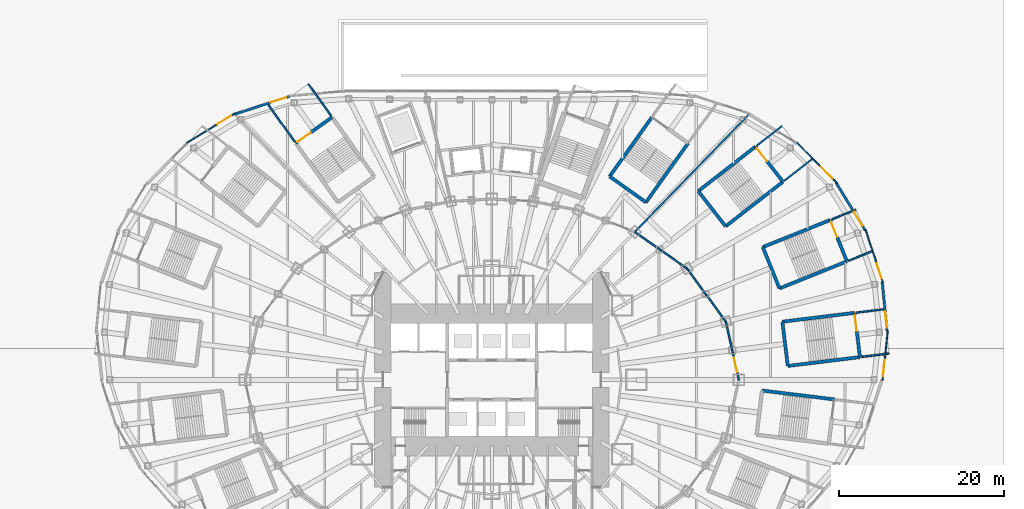
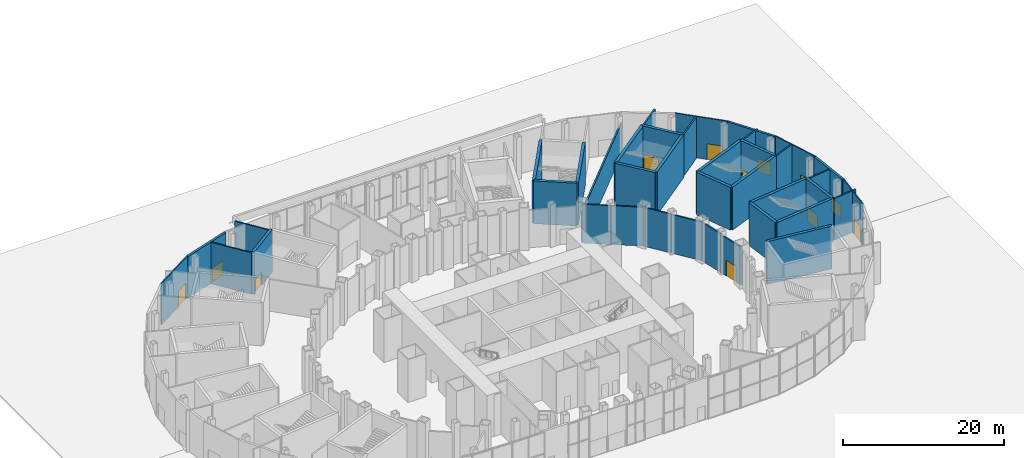
# One storey, part 21 of 47: 39 walls, 12 doors, 12 openings.
"""IFC4 building model written with IfcOpenShell, lengths in metres."""

import ifcopenshell
import ifcopenshell.guid

model = None  # the IFC model being written
_history = None  # IfcOwnerHistory: only IFC2X3 demands one
_inside = {}  # id of a spatial element -> (the spatial element, [elements in it])
_under = {}  # id of a project, library or spatial element -> (it, [spatial elements below it])
_declared = {}  # id of a project -> (the project, [libraries it declares])
_typed = {}  # id of a type object -> (the type object, [elements of that type])
_made_of = {}  # id of a material, layer set ... -> (it, [elements and type objects made of it])


def new_model(schema):
    """Start an empty IFC model of exactly this schema.

    Asked for "IFC4X3", IfcOpenShell would pick the latest addendum, in which some entities
    have other attributes; the version numbers below select the first issue.
    IFC2X3 requires an IfcOwnerHistory on every rooted entity: one is made here for all.
    """
    global model, _history
    if schema == "IFC4X3":
        model = ifcopenshell.file(schema_version=(4, 3, 0, 0))
    else:
        model = ifcopenshell.file(schema=schema)
    _inside.clear()
    _under.clear()
    _declared.clear()
    _typed.clear()
    _made_of.clear()
    _history = None
    if model.schema == "IFC2X3":
        org = make("IfcOrganization", Name="unknown")
        user = make(
            "IfcPersonAndOrganization",
            ThePerson=make("IfcPerson", FamilyName="unknown"),
            TheOrganization=org,
        )
        app = make(
            "IfcApplication",
            ApplicationDeveloper=org,
            Version="unknown",
            ApplicationFullName="unknown",
            ApplicationIdentifier="unknown",
        )
        _history = make(
            "IfcOwnerHistory",
            OwningUser=user,
            OwningApplication=app,
            ChangeAction="ADDED",
            CreationDate=0,
        )
    return model


def make(cls, **values):
    """One entity of the class cls with the attributes given. An attribute that is None is left unset."""
    return model.create_entity(
        cls, **{name: value for name, value in values.items() if value is not None}
    )


def rooted(cls, **values):
    """An entity with a GlobalId (a new one), such as an element, a storey or a relation."""
    return make(cls, GlobalId=ifcopenshell.guid.new(), OwnerHistory=_history, **values)


def si_unit(unit_type, name, prefix=None):
    """IfcSIUnit, for example si_unit("LENGTHUNIT", "METRE", prefix="MILLI")."""
    return make("IfcSIUnit", UnitType=unit_type, Prefix=prefix, Name=name)


def assignment(units):
    """IfcUnitAssignment: the units of a project."""
    return None if units is None else make("IfcUnitAssignment", Units=units)


def point(xyz):
    """IfcCartesianPoint."""
    return None if xyz is None else make("IfcCartesianPoint", Coordinates=xyz)


def direction(xyz):
    """IfcDirection."""
    return None if xyz is None else make("IfcDirection", DirectionRatios=xyz)


def frame(location, z_axis=None, x_axis=None):
    """IfcAxis2Placement3D, a coordinate frame: its origin and axes. An axis left out is left unset."""
    return make(
        "IfcAxis2Placement3D",
        Location=point(location),
        Axis=direction(z_axis),
        RefDirection=direction(x_axis),
    )


def frame_2d(location, x_axis=None):
    """IfcAxis2Placement2D, a coordinate frame in the plane: its origin and x axis."""
    return make(
        "IfcAxis2Placement2D", Location=point(location), RefDirection=direction(x_axis)
    )


def origin():
    """The frame at (0, 0, 0) with its axes left unset."""
    return frame((0.0, 0.0, 0.0))


def place(relative_to, where):
    """IfcLocalPlacement: puts the frame where relative to a parent placement (None: the world)."""
    return make(
        "IfcLocalPlacement", PlacementRelTo=relative_to, RelativePlacement=where
    )


def context(
    kind, dimensions, precision=None, world=None, true_north=None, identifier=None
):
    """IfcGeometricRepresentationContext, for example the 3D "Model" context."""
    return make(
        "IfcGeometricRepresentationContext",
        ContextIdentifier=identifier,
        ContextType=kind,
        CoordinateSpaceDimension=dimensions,
        Precision=precision,
        WorldCoordinateSystem=world,
        TrueNorth=true_north,
    )


def subcontext(parent, identifier, kind, view, scale=None):
    """IfcGeometricRepresentationSubContext, for example "Body" below "Model"."""
    return make(
        "IfcGeometricRepresentationSubContext",
        ContextIdentifier=identifier,
        ContextType=kind,
        ParentContext=parent,
        TargetScale=scale,
        TargetView=view,
    )


def project(units=None, contexts=None):
    """IfcProject with its units and contexts."""
    return rooted(
        "IfcProject",
        Name="project",
        RepresentationContexts=contexts,
        UnitsInContext=assignment(units),
    )


def spatial(cls, under=None, at=None, **own):
    """A site, building, storey or space (cls), placed at a placement, below another one or the project."""
    s = rooted(cls, ObjectPlacement=at, **own)
    if under is not None:
        _under.setdefault(under.id(), (under, []))[1].append(s)
    return s


def profile(cls, at=None, kind="AREA", **sizes):
    """A parametric profile (cls). Its sizes go by their IFC names, for example OverallWidth=200.0."""
    return make(cls, ProfileType=kind, Position=at, **sizes)


def rectangle(**sizes):
    """IfcRectangleProfileDef."""
    return profile("IfcRectangleProfileDef", **sizes)


def extrude(swept, where, along, depth):
    """IfcExtrudedAreaSolid: the profile swept, set in the frame where, extruded along a direction by depth."""
    return make(
        "IfcExtrudedAreaSolid",
        SweptArea=swept,
        Position=where,
        ExtrudedDirection=direction(along),
        Depth=depth,
    )


def shape(context_of_items, identifier, shape_type, items):
    """IfcShapeRepresentation: the items that make up one representation, for example the "Body"."""
    return make(
        "IfcShapeRepresentation",
        ContextOfItems=context_of_items,
        RepresentationIdentifier=identifier,
        RepresentationType=shape_type,
        Items=items,
    )


def material(Name=None, Category=None):
    """IfcMaterial."""
    return make("IfcMaterial", Name=Name, Category=Category)


def layer(
    of_material, thickness, ventilated=None, Name=None, Category=None, Priority=None
):
    """IfcMaterialLayer: one layer of a wall or slab, of a material (None: an air gap)."""
    return make(
        "IfcMaterialLayer",
        Material=of_material,
        LayerThickness=thickness,
        IsVentilated=ventilated,
        Name=Name,
        Category=Category,
        Priority=Priority,
    )


def layer_set(layers, Name=None):
    """IfcMaterialLayerSet."""
    return make("IfcMaterialLayerSet", MaterialLayers=layers, LayerSetName=Name)


def made_of(thing, what):
    """Note that an element or type object is made of a material, layer set ...; save() writes the relation."""
    if what is not None:
        _made_of.setdefault(what.id(), (what, []))[1].append(thing)
    return thing


def type_object(cls, material=None, **own):
    """A type object (cls), such as IfcWallType, which elements share."""
    return made_of(rooted(cls, **own), material)


def element(
    cls,
    number,
    at=None,
    inside=None,
    cuts=None,
    type_object=None,
    material=None,
    context=None,
    identifier="Body",
    shape_type=None,
    held_by="IfcProductDefinitionShape",
    body=None,
    shapes=None,
    **own,
):
    """One element of the class cls, such as IfcWall. Its Tag is "e" and its number.

    at: its placement. inside: the storey or other place that contains it. cuts: it is an
    opening in that element (IfcRelVoidsElement). A single representation is given by context,
    identifier, shape_type and body (its items); several are given by shapes. held_by: the class
    of the entity that holds the representations. save() writes the other relations.
    """
    e = rooted(cls, Tag="e%d" % number, ObjectPlacement=at, **own)
    if body is not None:
        shapes = [shape(context, identifier, shape_type, body)]
    if shapes is not None:
        e.Representation = make(held_by, Representations=shapes)
    if inside is not None:
        _inside.setdefault(inside.id(), (inside, []))[1].append(e)
    if cuts is not None:
        rooted(
            "IfcRelVoidsElement", RelatingBuildingElement=cuts, RelatedOpeningElement=e
        )
    if type_object is not None:
        _typed.setdefault(type_object.id(), (type_object, []))[1].append(e)
    return made_of(e, material)


def fill(opening, filler):
    """IfcRelFillsElement: the door or window that sits in an opening."""
    return rooted(
        "IfcRelFillsElement",
        RelatingOpeningElement=opening,
        RelatedBuildingElement=filler,
    )


def aggregate(whole, parts):
    """IfcRelAggregates: a whole, such as a stair, and the parts it consists of."""
    return rooted("IfcRelAggregates", RelatingObject=whole, RelatedObjects=parts)


def save(model, path):
    """Write the relations noted so far, then the file.

    IfcRelAggregates (storeys below a building ...), IfcRelContainedInSpatialStructure (elements
    in a storey), IfcRelDefinesByType, IfcRelAssociatesMaterial and IfcRelDeclares: one each for
    every whole, place, type object, material and project.
    """
    for whole, parts in _under.values():
        aggregate(whole, parts)
    for where, things in _inside.values():
        rooted(
            "IfcRelContainedInSpatialStructure",
            RelatedElements=things,
            RelatingStructure=where,
        )
    for kind, things in _typed.values():
        rooted("IfcRelDefinesByType", RelatedObjects=things, RelatingType=kind)
    for what, things in _made_of.values():
        rooted("IfcRelAssociatesMaterial", RelatedObjects=things, RelatingMaterial=what)
    for by, libraries in _declared.values():
        rooted("IfcRelDeclares", RelatingContext=by, RelatedDefinitions=libraries)
    model.write(path)


model = new_model("IFC4")

# Units and contexts
model_context = context("Model", 3, precision=1e-05, world=origin(), true_north=direction((0.0, 1.0)))
body_context = subcontext(model_context, "Body", "Model", "MODEL_VIEW")
ifc_project = project(units=[si_unit("LENGTHUNIT", "METRE"), si_unit("AREAUNIT", "SQUARE_METRE"), si_unit("VOLUMEUNIT", "CUBIC_METRE"), si_unit("PLANEANGLEUNIT", "RADIAN"), si_unit("MASSUNIT", "GRAM", prefix="KILO")], contexts=[model_context])

# Site, building, storey
site_placement = place(None, origin())
site = spatial("IfcSite", under=ifc_project, at=site_placement, CompositionType="ELEMENT")
building_placement = place(site_placement, origin())
building = spatial("IfcBuilding", under=site, at=building_placement, Name="Lantaw Convention Tower", CompositionType="ELEMENT")
storey_placement = place(building_placement, origin())
storey = spatial("IfcBuildingStorey", under=building, at=storey_placement, Name="L00", CompositionType="ELEMENT", Elevation=0.0)

# Walls
ifc_material_1 = material(Name="Concrete blockwork, fire rated", Category="masonry")
ifc_layer_1 = layer(ifc_material_1, 0.199951171875)
ifc_layer_set_1 = layer_set([ifc_layer_1], Name="Exit vestibule wall 200 EI 120")
wall_type_1 = type_object("IfcWallType", Name="Exit vestibule wall 200 EI 120", PredefinedType="SOLIDWALL", material=ifc_layer_set_1)
wall_1_placement = place(storey_placement, frame((44.755615234375, 2.775146484375, 0.0), z_axis=(0.0, 0.0, 1.0), x_axis=(0.992549022568, 0.121845959305, 0.0)))
element("IfcWall", 1, at=wall_1_placement, inside=storey, type_object=wall_type_1, Name="Exit vestibule wall 200", PredefinedType="SOLIDWALL", context=body_context, shape_type="SweptSolid", body=[
    extrude(rectangle(XDim=3.35009765625, YDim=0.199951171875, at=frame_2d((1.675048828125, 0.0))), origin(), (0.0, 0.0, 1.0), 6.300048828125),
])
wall_2_placement = place(storey_placement, frame((44.09765625, 8.134765625, 0.0), z_axis=(0.0, 0.0, 1.0), x_axis=(0.992547940526, 0.121854773226, 0.0)))
element("IfcWall", 2, at=wall_2_placement, inside=storey, type_object=wall_type_1, Name="Exit vestibule wall 200", PredefinedType="SOLIDWALL", context=body_context, shape_type="SweptSolid", body=[
    extrude(rectangle(XDim=3.349853515625, YDim=0.199951171875, at=frame_2d((1.6748046875, 0.0))), origin(), (0.0, 0.0, 1.0), 6.300048828125),
])
wall_3_placement = place(storey_placement, frame((43.163818359375, 14.418212890625, 0.0), z_axis=(0.0, 0.0, 1.0), x_axis=(0.928010950087, 0.372552917744, 0.0)))
element("IfcWall", 3, at=wall_3_placement, inside=storey, type_object=wall_type_1, Name="Exit vestibule wall 200", PredefinedType="SOLIDWALL", context=body_context, shape_type="SweptSolid", body=[
    extrude(rectangle(XDim=3.150146484375, YDim=0.199951171875, at=frame_2d((1.5751953125, 0.0))), origin(), (0.0, 0.0, 1.0), 6.300048828125),
])
wall_4_placement = place(storey_placement, frame((41.152099609375, 19.4296875, 0.0), z_axis=(0.0, 0.0, 1.0), x_axis=(0.928037743531, 0.372486169652, 0.0)))
element("IfcWall", 4, at=wall_4_placement, inside=storey, type_object=wall_type_1, Name="Exit vestibule wall 200", PredefinedType="SOLIDWALL", context=body_context, shape_type="SweptSolid", body=[
    extrude(rectangle(XDim=3.14990234375, YDim=0.199951171875, at=frame_2d((1.574951171875, 0.0))), origin(), (0.0, 0.0, 1.0), 6.300048828125),
])
wall_5_placement = place(storey_placement, frame((35.397216796875, 24.108154296875, 0.0), z_axis=(0.0, 0.0, 1.0), x_axis=(0.789352217376, 0.613940613515, 0.0)))
element("IfcWall", 5, at=wall_5_placement, inside=storey, type_object=wall_type_1, Name="Exit vestibule wall 200", PredefinedType="SOLIDWALL", context=body_context, shape_type="SweptSolid", body=[
    extrude(rectangle(XDim=4.26171875, YDim=0.199951171875, at=frame_2d((2.130859375, 0.0))), origin(), (0.0, 0.0, 1.0), 6.300048828125),
])
wall_6_placement = place(storey_placement, frame((32.08203125, 28.370849609375, 0.0), z_axis=(0.0, 0.0, 1.0), x_axis=(0.789376118937, 0.613909881702, 0.0)))
element("IfcWall", 6, at=wall_6_placement, inside=storey, type_object=wall_type_1, Name="Exit vestibule wall 200", PredefinedType="SOLIDWALL", context=body_context, shape_type="SweptSolid", body=[
    extrude(rectangle(XDim=3.849853515625, YDim=0.199951171875, at=frame_2d((1.9248046875, 0.0))), origin(), (0.0, 0.0, 1.0), 6.300048828125),
])
wall_7_placement = place(storey_placement, frame((-19.477294921875, 31.95556640625, 0.0), z_axis=(0.0, 0.0, 1.0), x_axis=(-0.580683804281, 0.814129178599, 0.0)))
element("IfcWall", 7, at=wall_7_placement, inside=storey, type_object=wall_type_1, Name="Exit vestibule wall 200", PredefinedType="SOLIDWALL", context=body_context, shape_type="SweptSolid", body=[
    extrude(rectangle(XDim=4.75, YDim=0.199951171875, at=frame_2d((2.375, 0.0))), origin(), (0.0, 0.0, 1.0), 6.300048828125),
])
wall_8_placement = place(storey_placement, frame((-23.87353515625, 28.81982421875, 0.0), z_axis=(0.0, 0.0, 1.0), x_axis=(-0.580677172045, 0.81413390905, 0.0)))
element("IfcWall", 8, at=wall_8_placement, inside=storey, type_object=wall_type_1, Name="Exit vestibule wall 200", PredefinedType="SOLIDWALL", context=body_context, shape_type="SweptSolid", body=[
    extrude(rectangle(XDim=5.517333984375, YDim=0.199951171875, at=frame_2d((2.7587890625, 0.0))), origin(), (0.0, 0.0, 1.0), 6.300048828125),
])

# Wall, opening, door
ifc_material_2 = material(Name="Aluminium framed glazing", Category="aluminium")
ifc_layer_2 = layer(ifc_material_2, 0.14990234375)
ifc_layer_set_2 = layer_set([ifc_layer_2], Name="Glazed entrance screen 150")
wall_type_2 = type_object("IfcWallType", Name="Glazed entrance screen 150", PredefinedType="ELEMENTEDWALL", material=ifc_layer_set_2)
wall_9_placement = place(storey_placement, frame((47.293701171875, -0.03173828125, 0.0), z_axis=(0.0, 0.0, 1.0), x_axis=(0.105835648981, 0.99438363593, 0.0)))
wall_9 = element("IfcWall", 9, at=wall_9_placement, inside=storey, type_object=wall_type_2, Name="Glazed entrance screen", PredefinedType="ELEMENTEDWALL", context=body_context, shape_type="SweptSolid", body=[
    extrude(rectangle(XDim=6.0068359375, YDim=0.14990234375, at=frame_2d((3.00341796875, 0.0))), origin(), (0.0, 0.0, 1.0), 6.300048828125),
])
opening_1_placement = place(wall_9_placement, frame((0.5, 0.0, 0.0)))
opening_1 = element("IfcOpeningElement", 10, at=opening_1_placement, cuts=wall_9, Name="Opening L00.X00", PredefinedType="OPENING", context=body_context, shape_type="SweptSolid", body=[
    extrude(rectangle(XDim=2.0, YDim=2.39990234375, at=frame_2d((1.0, 1.199951171875))), frame((0.0, 0.0849609375, 0.0), z_axis=(0.0, -1.0, 0.0), x_axis=(1.0, 0.0, 0.0)), (0.0, 0.0, 1.0), 0.169921875),
])
ifc_material_3 = material(Name="Aluminium and glass", Category="aluminium")
door_type_1 = type_object("IfcDoorType", Name="Entrance double door 2000", OperationType="DOUBLE_DOOR_DOUBLE_SWING", PredefinedType="DOOR", material=ifc_material_3)
door_1_placement = place(opening_1_placement, origin())
door_1 = element("IfcDoor", 11, at=door_1_placement, inside=storey, type_object=door_type_1, Name="Entrance", OperationType="DOUBLE_DOOR_DOUBLE_SWING", OverallHeight=2.39990234375, OverallWidth=2.0, PredefinedType="DOOR", context=body_context, shape_type="SweptSolid", body=[
    extrude(rectangle(XDim=2.0, YDim=2.39990234375, at=frame_2d((1.0, 1.199951171875))), frame((0.0, 0.02490234375, 0.0), z_axis=(0.0, -1.0, 0.0), x_axis=(1.0, 0.0, 0.0)), (0.0, 0.0, 1.0), 0.050048828125),
])
fill(opening_1, door_1)

wall_10_placement = place(storey_placement, frame((47.35107421875, 11.75927734375, 0.0), z_axis=(0.0, 0.0, 1.0), x_axis=(-0.312642177535, 0.949870974831, 0.0)))
wall_10 = element("IfcWall", 12, at=wall_10_placement, inside=storey, type_object=wall_type_2, Name="Glazed entrance screen", PredefinedType="ELEMENTEDWALL", context=body_context, shape_type="SweptSolid", body=[
    extrude(rectangle(XDim=6.785888671875, YDim=0.14990234375, at=frame_2d((3.39306640625, 0.0))), origin(), (0.0, 0.0, 1.0), 6.300048828125),
])
opening_2_placement = place(wall_10_placement, frame((0.5, 0.0, 0.0)))
opening_2 = element("IfcOpeningElement", 13, at=opening_2_placement, cuts=wall_10, Name="Opening L00.X02", PredefinedType="OPENING", context=body_context, shape_type="SweptSolid", body=[
    extrude(rectangle(XDim=2.0, YDim=2.39990234375, at=frame_2d((1.0, 1.199951171875))), frame((0.0, 0.0849609375, 0.0), z_axis=(0.0, -1.0, 0.0), x_axis=(1.0, 0.0, 0.0)), (0.0, 0.0, 1.0), 0.169921875),
])
door_2_placement = place(opening_2_placement, origin())
door_2 = element("IfcDoor", 14, at=door_2_placement, inside=storey, type_object=door_type_1, Name="Entrance", OperationType="DOUBLE_DOOR_DOUBLE_SWING", OverallHeight=2.39990234375, OverallWidth=2.0, PredefinedType="DOOR", context=body_context, shape_type="SweptSolid", body=[
    extrude(rectangle(XDim=2.0, YDim=2.39990234375, at=frame_2d((1.0, 1.199951171875))), frame((0.0, 0.02490234375, 0.0), z_axis=(0.0, -1.0, 0.0), x_axis=(1.0, 0.0, 0.0)), (0.0, 0.0, 1.0), 0.050048828125),
])
fill(opening_2, door_2)

wall_11_placement = place(storey_placement, frame((41.794189453125, 23.8154296875, 0.0), z_axis=(0.0, 0.0, 1.0), x_axis=(-0.705874614645, 0.708336804352, 0.0)))
wall_11 = element("IfcWall", 15, at=wall_11_placement, inside=storey, type_object=wall_type_2, Name="Glazed entrance screen", PredefinedType="ELEMENTEDWALL", context=body_context, shape_type="SweptSolid", body=[
    extrude(rectangle(XDim=6.94091796875, YDim=0.14990234375, at=frame_2d((3.470458984375, 0.0))), origin(), (0.0, 0.0, 1.0), 6.300048828125),
])
opening_3_placement = place(wall_11_placement, frame((0.800048828125, 0.0, 0.0)))
opening_3 = element("IfcOpeningElement", 16, at=opening_3_placement, cuts=wall_11, Name="Opening L00.X04", PredefinedType="OPENING", context=body_context, shape_type="SweptSolid", body=[
    extrude(rectangle(XDim=2.0, YDim=2.39990234375, at=frame_2d((1.0, 1.199951171875))), frame((0.0, 0.0849609375, 0.0), z_axis=(0.0, -1.0, 0.0), x_axis=(1.0, 0.0, 0.0)), (0.0, 0.0, 1.0), 0.169921875),
])
door_3_placement = place(opening_3_placement, origin())
door_3 = element("IfcDoor", 17, at=door_3_placement, inside=storey, type_object=door_type_1, Name="Entrance", OperationType="DOUBLE_DOOR_DOUBLE_SWING", OverallHeight=2.39990234375, OverallWidth=2.0, PredefinedType="DOOR", context=body_context, shape_type="SweptSolid", body=[
    extrude(rectangle(XDim=2.0, YDim=2.39990234375, at=frame_2d((1.0, 1.199951171875))), frame((0.0, 0.02490234375, 0.0), z_axis=(0.0, -1.0, 0.0), x_axis=(1.0, 0.0, 0.0)), (0.0, 0.0, 1.0), 0.050048828125),
])
fill(opening_3, door_3)

wall_12_placement = place(storey_placement, frame((-31.126953125, 32.265869140625, 0.0), z_axis=(0.0, 0.0, 1.0), x_axis=(-0.851792686124, -0.523879012621, 0.0)))
wall_12 = element("IfcWall", 18, at=wall_12_placement, inside=storey, type_object=wall_type_2, Name="Glazed entrance screen", PredefinedType="ELEMENTEDWALL", context=body_context, shape_type="SweptSolid", body=[
    extrude(rectangle(XDim=6.86083984375, YDim=0.14990234375, at=frame_2d((3.430419921875, 0.0))), origin(), (0.0, 0.0, 1.0), 6.300048828125),
])
opening_4_placement = place(wall_12_placement, frame((0.5, 0.0, 0.0)))
opening_4 = element("IfcOpeningElement", 19, at=opening_4_placement, cuts=wall_12, Name="Opening L00.X18", PredefinedType="OPENING", context=body_context, shape_type="SweptSolid", body=[
    extrude(rectangle(XDim=2.0, YDim=2.39990234375, at=frame_2d((1.0, 1.199951171875))), frame((0.0, 0.0849609375, 0.0), z_axis=(0.0, -1.0, 0.0), x_axis=(1.0, 0.0, 0.0)), (0.0, 0.0, 1.0), 0.169921875),
])
door_4_placement = place(opening_4_placement, origin())
door_4 = element("IfcDoor", 20, at=door_4_placement, inside=storey, type_object=door_type_1, Name="Entrance", OperationType="DOUBLE_DOOR_DOUBLE_SWING", OverallHeight=2.39990234375, OverallWidth=2.0, PredefinedType="DOOR", context=body_context, shape_type="SweptSolid", body=[
    extrude(rectangle(XDim=2.0, YDim=2.39990234375, at=frame_2d((1.0, 1.199951171875))), frame((0.0, 0.02490234375, 0.0), z_axis=(0.0, -1.0, 0.0), x_axis=(1.0, 0.0, 0.0)), (0.0, 0.0, 1.0), 0.050048828125),
])
fill(opening_4, door_4)

ifc_material_4 = material(Name="Precast concrete panel, pale aluminium rainscreen", Category="concrete")
ifc_layer_3 = layer(ifc_material_4, 0.300048828125)
ifc_layer_set_3 = layer_set([ifc_layer_3], Name="Podium external wall 300")
wall_type_3 = type_object("IfcWallType", Name="Podium external wall 300", PredefinedType="SOLIDWALL", material=ifc_layer_set_3)
wall_13_placement = place(storey_placement, frame((47.8544921875, 5.8388671875, 0.0), z_axis=(0.0, 0.0, 1.0), x_axis=(-0.099051198898, 0.9950823383, 0.0)))
wall_13 = element("IfcWall", 21, at=wall_13_placement, inside=storey, type_object=wall_type_3, Name="Podium facade wall", PredefinedType="SOLIDWALL", context=body_context, shape_type="SweptSolid", body=[
    extrude(rectangle(XDim=6.036376953125, YDim=0.300048828125, at=frame_2d((3.01806640625, 0.0))), origin(), (0.0, 0.0, 1.0), 6.300048828125),
])
opening_5_placement = place(wall_13_placement, frame((0.449951171875, 0.0, 0.0)))
opening_5 = element("IfcOpeningElement", 22, at=opening_5_placement, cuts=wall_13, Name="Opening L00.X01", PredefinedType="OPENING", context=body_context, shape_type="SweptSolid", body=[
    extrude(rectangle(XDim=2.0, YDim=2.10009765625, at=frame_2d((1.0, 1.050048828125))), frame((0.0, 0.159912109375, 0.0), z_axis=(0.0, -1.0, 0.0), x_axis=(1.0, 0.0, 0.0)), (0.0, 0.0, 1.0), 0.320068359375),
])
door_type_2 = type_object("IfcDoorType", Name="Exit double door 2000", OperationType="DOUBLE_DOOR_DOUBLE_SWING", PredefinedType="DOOR", material=ifc_material_3)
door_5_placement = place(opening_5_placement, origin())
door_5 = element("IfcDoor", 23, at=door_5_placement, inside=storey, type_object=door_type_2, Name="Exit door", OperationType="DOUBLE_DOOR_DOUBLE_SWING", OverallHeight=2.10009765625, OverallWidth=2.0, PredefinedType="DOOR", context=body_context, shape_type="SweptSolid", body=[
    extrude(rectangle(XDim=2.0, YDim=2.10009765625, at=frame_2d((1.0, 1.050048828125))), frame((0.0, 0.02490234375, 0.0), z_axis=(0.0, -1.0, 0.0), x_axis=(1.0, 0.0, 0.0)), (0.0, 0.0, 1.0), 0.050048828125),
])
fill(opening_5, door_5)

wall_14_placement = place(storey_placement, frame((45.206298828125, 18.078125, 0.0), z_axis=(0.0, 0.0, 1.0), x_axis=(-0.52225340952, 0.852790347181, 0.0)))
wall_14 = element("IfcWall", 24, at=wall_14_placement, inside=storey, type_object=wall_type_3, Name="Podium facade wall", PredefinedType="SOLIDWALL", context=body_context, shape_type="SweptSolid", body=[
    extrude(rectangle(XDim=6.77099609375, YDim=0.300048828125, at=frame_2d((3.385498046875, 0.0))), origin(), (0.0, 0.0, 1.0), 6.300048828125),
])
opening_6_placement = place(wall_14_placement, frame((0.64990234375, 0.0, 0.0)))
opening_6 = element("IfcOpeningElement", 25, at=opening_6_placement, cuts=wall_14, Name="Opening L00.X03", PredefinedType="OPENING", context=body_context, shape_type="SweptSolid", body=[
    extrude(rectangle(XDim=2.0, YDim=2.10009765625, at=frame_2d((1.0, 1.050048828125))), frame((0.0, 0.159912109375, 0.0), z_axis=(0.0, -1.0, 0.0), x_axis=(1.0, 0.0, 0.0)), (0.0, 0.0, 1.0), 0.320068359375),
])
door_6_placement = place(opening_6_placement, origin())
door_6 = element("IfcDoor", 26, at=door_6_placement, inside=storey, type_object=door_type_2, Name="Exit door", OperationType="DOUBLE_DOOR_DOUBLE_SWING", OverallHeight=2.10009765625, OverallWidth=2.0, PredefinedType="DOOR", context=body_context, shape_type="SweptSolid", body=[
    extrude(rectangle(XDim=2.0, YDim=2.10009765625, at=frame_2d((1.0, 1.050048828125))), frame((0.0, 0.02490234375, 0.0), z_axis=(0.0, -1.0, 0.0), x_axis=(1.0, 0.0, 0.0)), (0.0, 0.0, 1.0), 0.050048828125),
])
fill(opening_6, door_6)

wall_15_placement = place(storey_placement, frame((-24.49462890625, 34.327880859375, 0.0), z_axis=(0.0, 0.0, 1.0), x_axis=(-0.951140010357, -0.308759907853, 0.0)))
wall_15 = element("IfcWall", 27, at=wall_15_placement, inside=storey, type_object=wall_type_3, Name="Podium facade wall", PredefinedType="SOLIDWALL", context=body_context, shape_type="SweptSolid", body=[
    extrude(rectangle(XDim=7.041259765625, YDim=0.300048828125, at=frame_2d((3.5205078125, 0.0))), origin(), (0.0, 0.0, 1.0), 6.300048828125),
])
opening_7_placement = place(wall_15_placement, frame((0.449951171875, 0.0, 0.0)))
opening_7 = element("IfcOpeningElement", 28, at=opening_7_placement, cuts=wall_15, Name="Opening L00.X17", PredefinedType="OPENING", context=body_context, shape_type="SweptSolid", body=[
    extrude(rectangle(XDim=2.0, YDim=2.10009765625, at=frame_2d((1.0, 1.050048828125))), frame((0.0, 0.159912109375, 0.0), z_axis=(0.0, -1.0, 0.0), x_axis=(1.0, 0.0, 0.0)), (0.0, 0.0, 1.0), 0.320068359375),
])
door_7_placement = place(opening_7_placement, origin())
door_7 = element("IfcDoor", 29, at=door_7_placement, inside=storey, type_object=door_type_2, Name="Exit door", OperationType="DOUBLE_DOOR_DOUBLE_SWING", OverallHeight=2.10009765625, OverallWidth=2.0, PredefinedType="DOOR", context=body_context, shape_type="SweptSolid", body=[
    extrude(rectangle(XDim=2.0, YDim=2.10009765625, at=frame_2d((1.0, 1.050048828125))), frame((0.0, 0.02490234375, 0.0), z_axis=(0.0, -1.0, 0.0), x_axis=(1.0, 0.0, 0.0)), (0.0, 0.0, 1.0), 0.050048828125),
])
fill(opening_7, door_7)

ifc_layer_4 = layer(ifc_material_1, 0.199951171875)
ifc_layer_set_4 = layer_set([ifc_layer_4], Name="Podium lobby wall 200 EI 120")
wall_type_4 = type_object("IfcWallType", Name="Podium lobby wall 200 EI 120", PredefinedType="SOLIDWALL", material=ifc_layer_set_4)
wall_16_placement = place(storey_placement, frame((29.89990234375, 0.0, 0.0), z_axis=(0.0, 0.0, 1.0), x_axis=(-0.218631550323, 0.975807483679, 0.0)))
wall_16 = element("IfcWall", 30, at=wall_16_placement, inside=storey, type_object=wall_type_4, Name="Podium lobby wall 200", PredefinedType="SOLIDWALL", context=body_context, shape_type="SweptSolid", body=[
    extrude(rectangle(XDim=3.66162109375, YDim=0.199951171875, at=frame_2d((1.830810546875, 0.0))), origin(), (0.0, 0.0, 1.0), 5.771728515625),
])
opening_8_placement = place(wall_16_placement, frame((0.930908203125, 0.0, 0.0)))
opening_8 = element("IfcOpeningElement", 31, at=opening_8_placement, cuts=wall_16, Name="Opening L00.17", PredefinedType="OPENING", context=body_context, shape_type="SweptSolid", body=[
    extrude(rectangle(XDim=1.800048828125, YDim=2.39990234375, at=frame_2d((0.89990234375, 1.199951171875))), frame((0.0, 0.10986328125, 0.0), z_axis=(0.0, -1.0, 0.0), x_axis=(1.0, 0.0, 0.0)), (0.0, 0.0, 1.0), 0.219970703125),
])
ifc_material_5 = material(Name="Steel, fire rated", Category="steel")
door_type_3 = type_object("IfcDoorType", Name="Lobby hall double door 1800 FD90", OperationType="DOUBLE_DOOR_DOUBLE_SWING", PredefinedType="DOOR", material=ifc_material_5)
door_8_placement = place(opening_8_placement, origin())
door_8 = element("IfcDoor", 32, at=door_8_placement, inside=storey, type_object=door_type_3, Name="Hotel arrival lobby door", OperationType="DOUBLE_DOOR_DOUBLE_SWING", OverallHeight=2.39990234375, OverallWidth=1.800048828125, PredefinedType="DOOR", context=body_context, shape_type="SweptSolid", body=[
    extrude(rectangle(XDim=1.800048828125, YDim=2.39990234375, at=frame_2d((0.89990234375, 1.199951171875))), frame((0.0, 0.02490234375, 0.0), z_axis=(0.0, -1.0, 0.0), x_axis=(1.0, 0.0, 0.0)), (0.0, 0.0, 1.0), 0.050048828125),
])
fill(opening_8, door_8)

# Walls
ifc_material_6 = material(Name="Concrete blockwork", Category="masonry")
ifc_layer_5 = layer(ifc_material_6, 0.199951171875)
ifc_layer_set_5 = layer_set([ifc_layer_5], Name="Podium partition 200")
wall_type_5 = type_object("IfcWallType", Name="Podium partition 200", PredefinedType="SOLIDWALL", material=ifc_layer_set_5)
wall_17_placement = place(storey_placement, frame((29.099365234375, 3.572998046875, 0.0), z_axis=(0.0, 0.0, 1.0), x_axis=(-0.218673326171, 0.97579812278, 0.0)))
element("IfcWall", 33, at=wall_17_placement, inside=storey, type_object=wall_type_5, Name="Podium partition 200", PredefinedType="SOLIDWALL", context=body_context, shape_type="SweptSolid", body=[
    extrude(rectangle(XDim=3.57373046875, YDim=0.199951171875, at=frame_2d((1.786865234375, 0.0))), origin(), (0.0, 0.0, 1.0), 5.896240234375),
])
wall_18_placement = place(storey_placement, frame((28.31787109375, 7.060302734375, 0.0), z_axis=(0.0, 0.0, 1.0), x_axis=(-0.591255937291, 0.806483984105, 0.0)))
element("IfcWall", 34, at=wall_18_placement, inside=storey, type_object=wall_type_5, Name="Podium partition 200", PredefinedType="SOLIDWALL", context=body_context, shape_type="SweptSolid", body=[
    extrude(rectangle(XDim=4.126708984375, YDim=0.199951171875, at=frame_2d((2.0634765625, 0.0))), origin(), (0.0, 0.0, 1.0), 5.896240234375),
])
wall_19_placement = place(storey_placement, frame((25.8779296875, 10.388427734375, 0.0), z_axis=(0.0, 0.0, 1.0), x_axis=(-0.591286566758, 0.806461527893, 0.0)))
element("IfcWall", 35, at=wall_19_placement, inside=storey, type_object=wall_type_5, Name="Podium partition 200", PredefinedType="SOLIDWALL", context=body_context, shape_type="SweptSolid", body=[
    extrude(rectangle(XDim=3.843994140625, YDim=0.199951171875, at=frame_2d((1.921875, 0.0))), origin(), (0.0, 0.0, 1.0), 5.896240234375),
])
wall_20_placement = place(storey_placement, frame((23.60498046875, 13.488525390625, 0.0), z_axis=(0.0, 0.0, 1.0), x_axis=(-0.819442856133, 0.573160889744, 0.0)))
element("IfcWall", 36, at=wall_20_placement, inside=storey, type_object=wall_type_5, Name="Podium partition 200", PredefinedType="SOLIDWALL", context=body_context, shape_type="SweptSolid", body=[
    extrude(rectangle(XDim=4.022705078125, YDim=0.199951171875, at=frame_2d((2.01123046875, 0.0))), origin(), (0.0, 0.0, 1.0), 5.896240234375),
])
wall_21_placement = place(storey_placement, frame((20.30859375, 15.794189453125, 0.0), z_axis=(0.0, 0.0, 1.0), x_axis=(-0.819409395821, 0.573208724672, 0.0)))
element("IfcWall", 37, at=wall_21_placement, inside=storey, type_object=wall_type_5, Name="Podium partition 200", PredefinedType="SOLIDWALL", context=body_context, shape_type="SweptSolid", body=[
    extrude(rectangle(XDim=3.682861328125, YDim=0.199951171875, at=frame_2d((1.84130859375, 0.0))), origin(), (0.0, 0.0, 1.0), 5.896240234375),
])
wall_22_placement = place(storey_placement, frame((17.290771484375, 17.9052734375, 0.0), z_axis=(0.0, 0.0, 1.0), x_axis=(0.696460684513, 0.717594951855, 0.0)))
element("IfcWall", 38, at=wall_22_placement, inside=storey, type_object=wall_type_5, Name="Podium partition 200", PredefinedType="SOLIDWALL", context=body_context, shape_type="SweptSolid", body=[
    extrude(rectangle(XDim=19.880859375, YDim=0.199951171875, at=frame_2d((9.9404296875, 0.0))), origin(), (0.0, 0.0, 1.0), 4.800048828125),
])
ifc_material_7 = material(Name="Concrete C40/50, stair core", Category="concrete")
ifc_layer_6 = layer(ifc_material_7, 0.39990234375)
ifc_layer_set_6 = layer_set([ifc_layer_6], Name="Stair enclosure wall 400 EI 120")
wall_type_6 = type_object("IfcWallType", Name="Stair enclosure wall 400 EI 120", PredefinedType="SHEAR", material=ifc_layer_set_6)
wall_23_placement = place(storey_placement, frame((35.82275390625, 1.67822265625, 0.0), z_axis=(0.0, 0.0, 1.0), x_axis=(0.992545280606, 0.121876437212, 0.0)))
element("IfcWall", 39, at=wall_23_placement, inside=storey, type_object=wall_type_6, Name="Stair enclosure wall", PredefinedType="SHEAR", context=body_context, shape_type="SweptSolid", body=[
    extrude(rectangle(XDim=8.800048828125, YDim=0.39990234375, at=frame_2d((4.39990234375, 0.0))), origin(), (0.0, 0.0, 1.0), 6.5),
])

# Wall, opening, door
wall_24_placement = place(storey_placement, frame((44.55712890625, 2.750732421875, 0.0), z_axis=(0.0, 0.0, 1.0), x_axis=(-0.12184754212, 0.99254882826, 0.0)))
wall_24 = element("IfcWall", 40, at=wall_24_placement, inside=storey, type_object=wall_type_6, Name="Stair enclosure wall", PredefinedType="SHEAR", context=body_context, shape_type="SweptSolid", body=[
    extrude(rectangle(XDim=5.39990234375, YDim=0.39990234375, at=frame_2d((2.699951171875, 0.0))), origin(), (0.0, 0.0, 1.0), 6.5),
])
opening_9_placement = place(wall_24_placement, frame((3.14990234375, 0.0, 0.0)))
opening_9 = element("IfcOpeningElement", 41, at=opening_9_placement, cuts=wall_24, Name="Opening L00.P1X", PredefinedType="OPENING", context=body_context, shape_type="SweptSolid", body=[
    extrude(rectangle(XDim=2.0, YDim=2.10009765625, at=frame_2d((1.0, 1.050048828125))), frame((0.0, 0.2099609375, 0.0), z_axis=(0.0, -1.0, 0.0), x_axis=(1.0, 0.0, 0.0)), (0.0, 0.0, 1.0), 0.419921875),
])
door_type_4 = type_object("IfcDoorType", Name="Stair discharge double door 2000 FD90", OperationType="DOUBLE_DOOR_DOUBLE_SWING", PredefinedType="DOOR", material=ifc_material_5)
door_9_placement = place(opening_9_placement, origin())
door_9 = element("IfcDoor", 42, at=door_9_placement, inside=storey, type_object=door_type_4, Name="Exit stair discharge door", OperationType="DOUBLE_DOOR_DOUBLE_SWING", OverallHeight=2.10009765625, OverallWidth=2.0, PredefinedType="DOOR", context=body_context, shape_type="SweptSolid", body=[
    extrude(rectangle(XDim=2.0, YDim=2.10009765625, at=frame_2d((1.0, 1.050048828125))), frame((0.0, 0.02490234375, 0.0), z_axis=(0.0, -1.0, 0.0), x_axis=(1.0, 0.0, 0.0)), (0.0, 0.0, 1.0), 0.050048828125),
])
fill(opening_9, door_9)

# Walls
wall_25_placement = place(storey_placement, frame((43.899169921875, 8.1103515625, 0.0), z_axis=(0.0, 0.0, 1.0), x_axis=(-0.992545280606, -0.121876437212, 0.0)))
element("IfcWall", 43, at=wall_25_placement, inside=storey, type_object=wall_type_6, Name="Stair enclosure wall", PredefinedType="SHEAR", context=body_context, shape_type="SweptSolid", body=[
    extrude(rectangle(XDim=8.800048828125, YDim=0.39990234375, at=frame_2d((4.39990234375, 0.0))), origin(), (0.0, 0.0, 1.0), 6.5),
])
wall_26_placement = place(storey_placement, frame((35.164794921875, 7.037841796875, 0.0), z_axis=(0.0, 0.0, 1.0), x_axis=(0.12184754212, -0.99254882826, 0.0)))
element("IfcWall", 44, at=wall_26_placement, inside=storey, type_object=wall_type_6, Name="Stair enclosure wall", PredefinedType="SHEAR", context=body_context, shape_type="SweptSolid", body=[
    extrude(rectangle(XDim=5.39990234375, YDim=0.39990234375, at=frame_2d((2.699951171875, 0.0))), origin(), (0.0, 0.0, 1.0), 6.5),
])
wall_27_placement = place(storey_placement, frame((34.811767578125, 11.0654296875, 0.0), z_axis=(0.0, 0.0, 1.0), x_axis=(0.92801678004, 0.372538395288, 0.0)))
element("IfcWall", 45, at=wall_27_placement, inside=storey, type_object=wall_type_6, Name="Stair enclosure wall", PredefinedType="SHEAR", context=body_context, shape_type="SweptSolid", body=[
    extrude(rectangle(XDim=8.800048828125, YDim=0.39990234375, at=frame_2d((4.39990234375, 0.0))), origin(), (0.0, 0.0, 1.0), 6.5),
])

# Wall, opening, door
wall_28_placement = place(storey_placement, frame((42.978271484375, 14.34375, 0.0), z_axis=(0.0, 0.0, 1.0), x_axis=(-0.372544066459, 0.928014503414, 0.0)))
wall_28 = element("IfcWall", 46, at=wall_28_placement, inside=storey, type_object=wall_type_6, Name="Stair enclosure wall", PredefinedType="SHEAR", context=body_context, shape_type="SweptSolid", body=[
    extrude(rectangle(XDim=5.39990234375, YDim=0.39990234375, at=frame_2d((2.699951171875, 0.0))), origin(), (0.0, 0.0, 1.0), 6.5),
])
opening_10_placement = place(wall_28_placement, frame((3.14990234375, 0.0, 0.0)))
opening_10 = element("IfcOpeningElement", 47, at=opening_10_placement, cuts=wall_28, Name="Opening L00.P2X", PredefinedType="OPENING", context=body_context, shape_type="SweptSolid", body=[
    extrude(rectangle(XDim=2.0, YDim=2.10009765625, at=frame_2d((1.0, 1.050048828125))), frame((0.0, 0.2099609375, 0.0), z_axis=(0.0, -1.0, 0.0), x_axis=(1.0, 0.0, 0.0)), (0.0, 0.0, 1.0), 0.419921875),
])
door_10_placement = place(opening_10_placement, origin())
door_10 = element("IfcDoor", 48, at=door_10_placement, inside=storey, type_object=door_type_4, Name="Exit stair discharge door", OperationType="DOUBLE_DOOR_DOUBLE_SWING", OverallHeight=2.10009765625, OverallWidth=2.0, PredefinedType="DOOR", context=body_context, shape_type="SweptSolid", body=[
    extrude(rectangle(XDim=2.0, YDim=2.10009765625, at=frame_2d((1.0, 1.050048828125))), frame((0.0, 0.02490234375, 0.0), z_axis=(0.0, -1.0, 0.0), x_axis=(1.0, 0.0, 0.0)), (0.0, 0.0, 1.0), 0.050048828125),
])
fill(opening_10, door_10)

# Walls
wall_29_placement = place(storey_placement, frame((40.966552734375, 19.35498046875, 0.0), z_axis=(0.0, 0.0, 1.0), x_axis=(-0.92801678004, -0.372538395288, 0.0)))
element("IfcWall", 49, at=wall_29_placement, inside=storey, type_object=wall_type_6, Name="Stair enclosure wall", PredefinedType="SHEAR", context=body_context, shape_type="SweptSolid", body=[
    extrude(rectangle(XDim=8.800048828125, YDim=0.39990234375, at=frame_2d((4.39990234375, 0.0))), origin(), (0.0, 0.0, 1.0), 6.5),
])
wall_30_placement = place(storey_placement, frame((32.800048828125, 16.07666015625, 0.0), z_axis=(0.0, 0.0, 1.0), x_axis=(0.372544066459, -0.928014503414, 0.0)))
element("IfcWall", 50, at=wall_30_placement, inside=storey, type_object=wall_type_6, Name="Stair enclosure wall", PredefinedType="SHEAR", context=body_context, shape_type="SweptSolid", body=[
    extrude(rectangle(XDim=5.39990234375, YDim=0.39990234375, at=frame_2d((2.699951171875, 0.0))), origin(), (0.0, 0.0, 1.0), 6.5),
])
wall_31_placement = place(storey_placement, frame((28.292724609375, 18.5830078125, 0.0), z_axis=(0.0, 0.0, 1.0), x_axis=(0.78938060008, 0.613904119726, 0.0)))
element("IfcWall", 51, at=wall_31_placement, inside=storey, type_object=wall_type_6, Name="Stair enclosure wall", PredefinedType="SHEAR", context=body_context, shape_type="SweptSolid", body=[
    extrude(rectangle(XDim=8.800048828125, YDim=0.39990234375, at=frame_2d((4.39990234375, 0.0))), origin(), (0.0, 0.0, 1.0), 6.5),
])

# Wall, opening, door
wall_32_placement = place(storey_placement, frame((35.2392578125, 23.9853515625, 0.0), z_axis=(0.0, 0.0, 1.0), x_axis=(-0.613912443548, 0.789374126544, 0.0)))
wall_32 = element("IfcWall", 52, at=wall_32_placement, inside=storey, type_object=wall_type_6, Name="Stair enclosure wall", PredefinedType="SHEAR", context=body_context, shape_type="SweptSolid", body=[
    extrude(rectangle(XDim=5.400146484375, YDim=0.39990234375, at=frame_2d((2.7001953125, 0.0))), origin(), (0.0, 0.0, 1.0), 6.5),
])
opening_11_placement = place(wall_32_placement, frame((3.14990234375, 0.0, 0.0)))
opening_11 = element("IfcOpeningElement", 53, at=opening_11_placement, cuts=wall_32, Name="Opening L00.P3X", PredefinedType="OPENING", context=body_context, shape_type="SweptSolid", body=[
    extrude(rectangle(XDim=2.0, YDim=2.10009765625, at=frame_2d((1.0, 1.050048828125))), frame((0.0, 0.2099609375, 0.0), z_axis=(0.0, -1.0, 0.0), x_axis=(1.0, 0.0, 0.0)), (0.0, 0.0, 1.0), 0.419921875),
])
door_11_placement = place(opening_11_placement, origin())
door_11 = element("IfcDoor", 54, at=door_11_placement, inside=storey, type_object=door_type_4, Name="Exit stair discharge door", OperationType="DOUBLE_DOOR_DOUBLE_SWING", OverallHeight=2.10009765625, OverallWidth=2.0, PredefinedType="DOOR", context=body_context, shape_type="SweptSolid", body=[
    extrude(rectangle(XDim=2.0, YDim=2.10009765625, at=frame_2d((1.0, 1.050048828125))), frame((0.0, 0.02490234375, 0.0), z_axis=(0.0, -1.0, 0.0), x_axis=(1.0, 0.0, 0.0)), (0.0, 0.0, 1.0), 0.050048828125),
])
fill(opening_11, door_11)

# Walls
wall_33_placement = place(storey_placement, frame((31.924072265625, 28.248046875, 0.0), z_axis=(0.0, 0.0, 1.0), x_axis=(-0.78938060008, -0.613904119726, 0.0)))
element("IfcWall", 55, at=wall_33_placement, inside=storey, type_object=wall_type_6, Name="Stair enclosure wall", PredefinedType="SHEAR", context=body_context, shape_type="SweptSolid", body=[
    extrude(rectangle(XDim=8.800048828125, YDim=0.39990234375, at=frame_2d((4.39990234375, 0.0))), origin(), (0.0, 0.0, 1.0), 6.5),
])
wall_34_placement = place(storey_placement, frame((24.9775390625, 22.845703125, 0.0), z_axis=(0.0, 0.0, 1.0), x_axis=(0.613912443548, -0.789374126544, 0.0)))
element("IfcWall", 56, at=wall_34_placement, inside=storey, type_object=wall_type_6, Name="Stair enclosure wall", PredefinedType="SHEAR", context=body_context, shape_type="SweptSolid", body=[
    extrude(rectangle(XDim=5.400146484375, YDim=0.39990234375, at=frame_2d((2.7001953125, 0.0))), origin(), (0.0, 0.0, 1.0), 6.5),
])
for number, where, z_axis, x_axis, name in (
    (57, (18.647216796875, 21.492919921875, 0.0), (0.0, 0.0, 1.0), (0.580705313356, 0.814113836659, 0.0), "Stair enclosure wall"),
    (58, (19.361083984375, 31.792724609375, 0.0), (0.0, 0.0, 1.0), (-0.580705313356, -0.814113836659, 0.0), "Stair enclosure wall"),
):
    element("IfcWall", number, at=place(storey_placement, frame(where, z_axis=z_axis, x_axis=x_axis)), inside=storey, type_object=wall_type_6, Name=name, PredefinedType="SHEAR", context=body_context, shape_type="SweptSolid", body=[
        extrude(rectangle(XDim=8.7998046875, YDim=0.39990234375, at=frame_2d((4.39990234375, 0.0))), origin(), (0.0, 0.0, 1.0), 6.5),
    ])
wall_35_placement = place(storey_placement, frame((14.2509765625, 24.628662109375, 0.0), z_axis=(0.0, 0.0, 1.0), x_axis=(0.814121252423, -0.580694916762, 0.0)))
element("IfcWall", 59, at=wall_35_placement, inside=storey, type_object=wall_type_6, Name="Stair enclosure wall", PredefinedType="SHEAR", context=body_context, shape_type="SweptSolid", body=[
    extrude(rectangle(XDim=5.39990234375, YDim=0.39990234375, at=frame_2d((2.699951171875, 0.0))), origin(), (0.0, 0.0, 1.0), 6.5),
])

# Wall, opening, door
wall_36_placement = place(storey_placement, frame((-19.361083984375, 31.792724609375, 0.0), z_axis=(0.0, 0.0, 1.0), x_axis=(-0.814121252423, -0.580694916762, 0.0)))
wall_36 = element("IfcWall", 60, at=wall_36_placement, inside=storey, type_object=wall_type_6, Name="Stair enclosure wall", PredefinedType="SHEAR", context=body_context, shape_type="SweptSolid", body=[
    extrude(rectangle(XDim=5.39990234375, YDim=0.39990234375, at=frame_2d((2.699951171875, 0.0))), origin(), (0.0, 0.0, 1.0), 6.5),
])
opening_12_placement = place(wall_36_placement, frame((3.14990234375, 0.0, 0.0)))
opening_12 = element("IfcOpeningElement", 61, at=opening_12_placement, cuts=wall_36, Name="Opening L00.P6X", PredefinedType="OPENING", context=body_context, shape_type="SweptSolid", body=[
    extrude(rectangle(XDim=2.0, YDim=2.10009765625, at=frame_2d((1.0, 1.050048828125))), frame((0.0, 0.2099609375, 0.0), z_axis=(0.0, -1.0, 0.0), x_axis=(1.0, 0.0, 0.0)), (0.0, 0.0, 1.0), 0.419921875),
])
door_12_placement = place(opening_12_placement, origin())
door_12 = element("IfcDoor", 62, at=door_12_placement, inside=storey, type_object=door_type_4, Name="Exit stair discharge door", OperationType="DOUBLE_DOOR_DOUBLE_SWING", OverallHeight=2.10009765625, OverallWidth=2.0, PredefinedType="DOOR", context=body_context, shape_type="SweptSolid", body=[
    extrude(rectangle(XDim=2.0, YDim=2.10009765625, at=frame_2d((1.0, 1.050048828125))), frame((0.0, 0.02490234375, 0.0), z_axis=(0.0, -1.0, 0.0), x_axis=(1.0, 0.0, 0.0)), (0.0, 0.0, 1.0), 0.050048828125),
])
fill(opening_12, door_12)

# Wall
wall_37_placement = place(storey_placement, frame((41.443115234375, -2.368408203125, 0.0), z_axis=(0.0, 0.0, 1.0), x_axis=(-0.992545692684, 0.121873081252, 0.0)))
element("IfcWall", 63, at=wall_37_placement, inside=storey, type_object=wall_type_6, Name="Stair enclosure wall", PredefinedType="SHEAR", context=body_context, shape_type="SweptSolid", body=[
    extrude(rectangle(XDim=8.80029296875, YDim=0.39990234375, at=frame_2d((4.400146484375, 0.0))), origin(), (0.0, 0.0, 1.0), 6.5),
])

save(model, "model.ifc")
